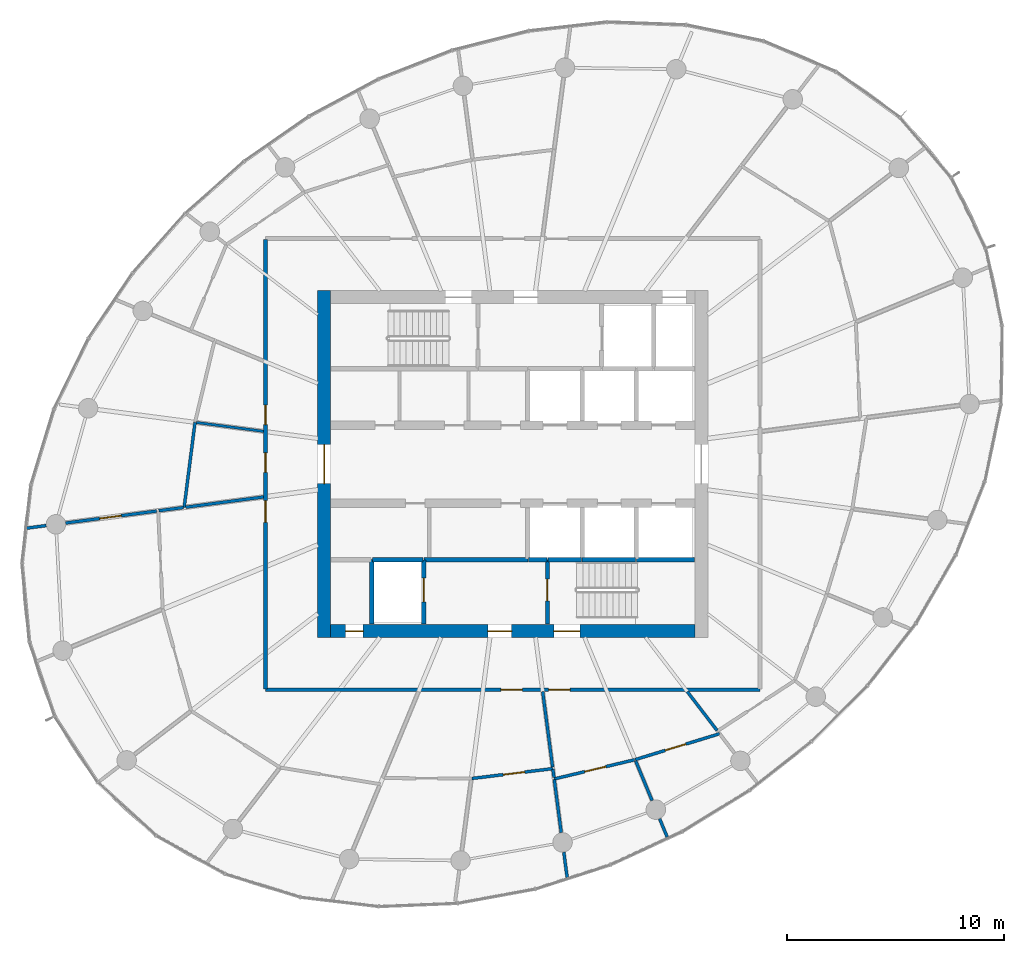
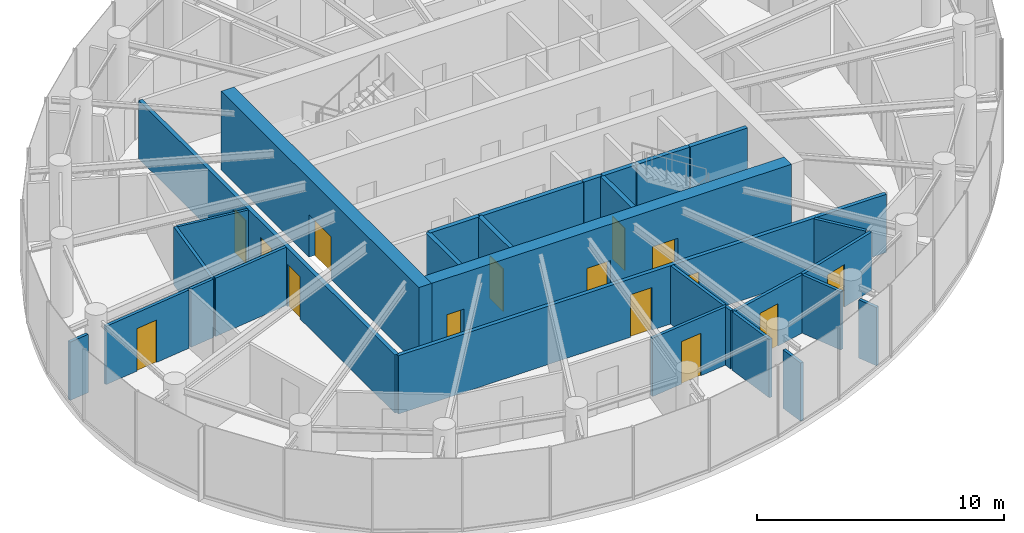
# One storey, part 10 of 15: 29 walls, 15 doors, 15 openings.
"""IFC4 building model written with IfcOpenShell, lengths in metres."""

from ifc_helpers import new_model, si_unit, direction, frame, frame_2d, origin, place, context, subcontext, project, spatial, rectangle, extrude, source, transform, mapped, material, layer, layer_set, type_object, element, fill, save


model = new_model("IFC4")

# Units and contexts
model_context = context("Model", 3, precision=1e-05, world=origin(), true_north=direction((0.0, 1.0)))
body_context = subcontext(model_context, "Body", "Model", "MODEL_VIEW")
ifc_project = project(units=[si_unit("LENGTHUNIT", "METRE"), si_unit("AREAUNIT", "SQUARE_METRE"), si_unit("VOLUMEUNIT", "CUBIC_METRE"), si_unit("PLANEANGLEUNIT", "RADIAN"), si_unit("MASSUNIT", "GRAM", prefix="KILO")], contexts=[model_context])

# Site, building, storey
site_placement = place(None, origin())
site = spatial("IfcSite", under=ifc_project, at=site_placement, CompositionType="ELEMENT")
building_placement = place(site_placement, origin())
building = spatial("IfcBuilding", under=site, at=building_placement, Name="Spindrift Exchange Tower", CompositionType="ELEMENT")
storey_placement = place(building_placement, frame((0.0, 0.0, 191.60009765625)))
storey = spatial("IfcBuildingStorey", under=building, at=storey_placement, Name="L46", CompositionType="ELEMENT", Elevation=191.60009765625)

# Wall, opening, door
ifc_material_1 = material(Name="Concrete 50 MPa", Category="concrete")
ifc_layer_1 = layer(ifc_material_1, 0.60009765625)
ifc_layer_set_1 = layer_set([ifc_layer_1], Name="RC Core Wall 600 Concrete 50 MPa")
wall_type_1 = type_object("IfcWallType", Name="RC Core Wall 600 Concrete 50 MPa", PredefinedType="SHEAR", material=ifc_layer_set_1)
wall_1_placement = place(storey_placement, frame((43.300048828125, 56.0, 0.0), z_axis=(0.0, 0.0, 1.0), x_axis=(0.0, -1.0, 0.0)))
wall_1 = element("IfcWall", 1, at=wall_1_placement, inside=storey, type_object=wall_type_1, Name="Core wall W L46", PredefinedType="SHEAR", context=body_context, shape_type="SweptSolid", body=[
    extrude(rectangle(XDim=16.0, YDim=0.60009765625, at=frame_2d((8.0, 0.0))), origin(), (0.0, 0.0, 1.0), 3.89990234375),
])
opening_1_placement = place(wall_1_placement, frame((7.10009765625, 0.0, 0.0)))
opening_1 = element("IfcOpeningElement", 2, at=opening_1_placement, cuts=wall_1, Name="Opening L46-D1", PredefinedType="OPENING", context=body_context, shape_type="SweptSolid", body=[
    extrude(rectangle(XDim=1.800048828125, YDim=2.10009765625, at=frame_2d((0.89990234375, 1.050048828125))), frame((0.0, 0.31005859375, 0.0), z_axis=(0.0, -1.0, 0.0), x_axis=(1.0, 0.0, 0.0)), (0.0, 0.0, 1.0), 0.6201171875),
])
ifc_material_2 = material(Name="Timber-core fire door", Category="wood")
door_type_1 = type_object("IfcDoorType", Name="DR-LOBBY-1800", OperationType="NOTDEFINED", PredefinedType="DOOR", material=ifc_material_2)
shared_shape_1 = source(origin(), body_context, "Body", "SweptSolid", [
    extrude(rectangle(XDim=1.800048828125, YDim=2.10009765625, at=frame_2d((0.89990234375, 1.050048828125))), frame((0.0, 0.02490234375, 0.0), z_axis=(0.0, -1.0, 0.0), x_axis=(1.0, 0.0, 0.0)), (0.0, 0.0, 1.0), 0.050048828125),
])
door_1_placement = place(opening_1_placement, origin())
door_1 = element("IfcDoor", 3, at=door_1_placement, inside=storey, type_object=door_type_1, Name="L46 Lobby door 1", OperationType="SINGLE_SWING_RIGHT", OverallHeight=2.10009765625, OverallWidth=1.800048828125, PredefinedType="DOOR", context=body_context, shape_type="MappedRepresentation", body=[
    mapped(shared_shape_1, transform((0.0, 0.0, 0.0), scale=1.0)),
])
fill(opening_1, door_1)

# Wall, openings, doors
wall_2_placement = place(storey_placement, frame((43.60009765625, 40.300048828125, 0.0), z_axis=(0.0, 0.0, 1.0), x_axis=(1.0, 0.0, 0.0)))
wall_2 = element("IfcWall", 4, at=wall_2_placement, inside=storey, type_object=wall_type_1, Name="Core wall S L46", PredefinedType="SHEAR", context=body_context, shape_type="SweptSolid", body=[
    extrude(rectangle(XDim=16.7998046875, YDim=0.60009765625, at=frame_2d((8.39990234375, 0.0))), origin(), (0.0, 0.0, 1.0), 3.89990234375),
])
opening_2_placement = place(wall_2_placement, frame((10.300048828125, 0.0, 0.0)))
opening_2 = element("IfcOpeningElement", 5, at=opening_2_placement, cuts=wall_2, Name="Opening L46-D15", PredefinedType="OPENING", context=body_context, shape_type="SweptSolid", body=[
    extrude(rectangle(XDim=1.199951171875, YDim=2.10009765625, at=frame_2d((0.60009765625, 1.050048828125))), frame((0.0, 0.31005859375, 0.0), z_axis=(0.0, -1.0, 0.0), x_axis=(1.0, 0.0, 0.0)), (0.0, 0.0, 1.0), 0.6201171875),
])
opening_3_placement = place(wall_2_placement, frame((7.25, 0.0, 0.0)))
opening_3 = element("IfcOpeningElement", 6, at=opening_3_placement, cuts=wall_2, Name="Opening L46-D17", PredefinedType="OPENING", context=body_context, shape_type="SweptSolid", body=[
    extrude(rectangle(XDim=1.10009765625, YDim=2.10009765625, at=frame_2d((0.550048828125, 1.050048828125))), frame((0.0, 0.31005859375, 0.0), z_axis=(0.0, -1.0, 0.0), x_axis=(1.0, 0.0, 0.0)), (0.0, 0.0, 1.0), 0.6201171875),
])
opening_4_placement = place(wall_2_placement, frame((0.699951171875, 0.0, 0.0)))
opening_4 = element("IfcOpeningElement", 7, at=opening_4_placement, cuts=wall_2, Name="Opening L46-D18", PredefinedType="OPENING", context=body_context, shape_type="SweptSolid", body=[
    extrude(rectangle(XDim=0.800048828125, YDim=2.10009765625, at=frame_2d((0.39990234375, 1.050048828125))), frame((0.0, 0.31005859375, 0.0), z_axis=(0.0, -1.0, 0.0), x_axis=(1.0, 0.0, 0.0)), (0.0, 0.0, 1.0), 0.6201171875),
])
ifc_material_3 = material(Name="Steel fire door", Category="steel")
door_type_2 = type_object("IfcDoorType", Name="DR-STAIR-1200", OperationType="NOTDEFINED", PredefinedType="DOOR", material=ifc_material_3)
shared_shape_2 = source(origin(), body_context, "Body", "SweptSolid", [
    extrude(rectangle(XDim=1.199951171875, YDim=2.10009765625, at=frame_2d((0.60009765625, 1.050048828125))), frame((0.0, 0.02490234375, 0.0), z_axis=(0.0, -1.0, 0.0), x_axis=(1.0, 0.0, 0.0)), (0.0, 0.0, 1.0), 0.050048828125),
])
door_2_placement = place(opening_2_placement, origin())
door_2 = element("IfcDoor", 8, at=door_2_placement, inside=storey, type_object=door_type_2, Name="L46 Stair door 15", OperationType="SINGLE_SWING_LEFT", OverallHeight=2.10009765625, OverallWidth=1.199951171875, PredefinedType="DOOR", context=body_context, shape_type="MappedRepresentation", body=[
    mapped(shared_shape_2, transform((0.0, 0.0, 0.0), scale=1.0)),
])
fill(opening_2, door_2)
door_type_3 = type_object("IfcDoorType", Name="DR-LOBBY-1100", OperationType="NOTDEFINED", PredefinedType="DOOR", material=ifc_material_2)
shared_shape_3 = source(origin(), body_context, "Body", "SweptSolid", [
    extrude(rectangle(XDim=1.10009765625, YDim=2.10009765625, at=frame_2d((0.550048828125, 1.050048828125))), frame((0.0, 0.02490234375, 0.0), z_axis=(0.0, -1.0, 0.0), x_axis=(1.0, 0.0, 0.0)), (0.0, 0.0, 1.0), 0.050048828125),
])
door_3_placement = place(opening_3_placement, origin())
door_3 = element("IfcDoor", 9, at=door_3_placement, inside=storey, type_object=door_type_3, Name="L46 Lobby door 17", OperationType="SINGLE_SWING_LEFT", OverallHeight=2.10009765625, OverallWidth=1.10009765625, PredefinedType="DOOR", context=body_context, shape_type="MappedRepresentation", body=[
    mapped(shared_shape_3, transform((0.0, 0.0, 0.0), scale=1.0)),
])
fill(opening_3, door_3)
ifc_material_4 = material(Name="Steel access door", Category="steel")
door_type_4 = type_object("IfcDoorType", Name="DR-RISER-800", OperationType="NOTDEFINED", PredefinedType="DOOR", material=ifc_material_4)
shared_shape_4 = source(origin(), body_context, "Body", "SweptSolid", [
    extrude(rectangle(XDim=0.800048828125, YDim=2.10009765625, at=frame_2d((0.39990234375, 1.050048828125))), frame((0.0, 0.02490234375, 0.0), z_axis=(0.0, -1.0, 0.0), x_axis=(1.0, 0.0, 0.0)), (0.0, 0.0, 1.0), 0.050048828125),
])
door_4_placement = place(opening_4_placement, origin())
door_4 = element("IfcDoor", 10, at=door_4_placement, inside=storey, type_object=door_type_4, Name="L46 Riser door 18", OperationType="SINGLE_SWING_RIGHT", OverallHeight=2.10009765625, OverallWidth=0.800048828125, PredefinedType="DOOR", context=body_context, shape_type="MappedRepresentation", body=[
    mapped(shared_shape_4, transform((0.0, 0.0, 0.0), scale=1.0)),
])
fill(opening_4, door_4)

ifc_material_5 = material(Name="Fire-rated plasterboard partition", Category="gypsum")
ifc_layer_2 = layer(ifc_material_5, 0.179931640625)
ifc_layer_set_2 = layer_set([ifc_layer_2], Name="W-CORR-180")
wall_type_2 = type_object("IfcWallType", Name="W-CORR-180", PredefinedType="PARTITIONING", material=ifc_layer_set_2)
wall_3_placement = place(storey_placement, frame((63.39990234375, 37.60009765625, 0.0), z_axis=(0.0, 0.0, 1.0), x_axis=(-1.0, 0.0, 0.0)))
wall_3 = element("IfcWall", 11, at=wall_3_placement, inside=storey, type_object=wall_type_2, Name="L46 Partition wall 28", PredefinedType="PARTITIONING", context=body_context, shape_type="SweptSolid", body=[
    extrude(rectangle(XDim=22.7998046875, YDim=0.179931640625, at=frame_2d((11.39990234375, 0.0))), origin(), (0.0, 0.0, 1.0), 2.8798828125),
])
opening_5_placement = place(wall_3_placement, frame((10.949951171875, 0.0, 0.0)))
opening_5 = element("IfcOpeningElement", 12, at=opening_5_placement, cuts=wall_3, Name="Opening L46-D27", PredefinedType="OPENING", context=body_context, shape_type="SweptSolid", body=[
    extrude(rectangle(XDim=1.0, YDim=2.10009765625, at=frame_2d((0.5, 1.050048828125))), frame((0.0, 0.099853515625, 0.0), z_axis=(0.0, -1.0, 0.0), x_axis=(1.0, 0.0, 0.0)), (0.0, 0.0, 1.0), 0.199951171875),
])
opening_6_placement = place(wall_3_placement, frame((8.75, 0.0, 0.0)))
opening_6 = element("IfcOpeningElement", 13, at=opening_6_placement, cuts=wall_3, Name="Opening L46-D30", PredefinedType="OPENING", context=body_context, shape_type="SweptSolid", body=[
    extrude(rectangle(XDim=1.0, YDim=2.10009765625, at=frame_2d((0.5, 1.050048828125))), frame((0.0, 0.099853515625, 0.0), z_axis=(0.0, -1.0, 0.0), x_axis=(1.0, 0.0, 0.0)), (0.0, 0.0, 1.0), 0.199951171875),
])
door_type_5 = type_object("IfcDoorType", Name="DR-ROOM-1000", OperationType="NOTDEFINED", PredefinedType="DOOR", material=ifc_material_2)
shared_shape_5 = source(origin(), body_context, "Body", "SweptSolid", [
    extrude(rectangle(XDim=1.0, YDim=2.10009765625, at=frame_2d((0.5, 1.050048828125))), frame((0.0, 0.02490234375, 0.0), z_axis=(0.0, -1.0, 0.0), x_axis=(1.0, 0.0, 0.0)), (0.0, 0.0, 1.0), 0.050048828125),
])
door_5_placement = place(opening_5_placement, origin())
door_5 = element("IfcDoor", 14, at=door_5_placement, inside=storey, type_object=door_type_5, Name="L46 Door 27", OperationType="SINGLE_SWING_LEFT", OverallHeight=2.10009765625, OverallWidth=1.0, PredefinedType="DOOR", context=body_context, shape_type="MappedRepresentation", body=[
    mapped(shared_shape_5, transform((0.0, 0.0, 0.0), scale=1.0)),
])
fill(opening_5, door_5)
door_6_placement = place(opening_6_placement, origin())
door_6 = element("IfcDoor", 15, at=door_6_placement, inside=storey, type_object=door_type_5, Name="L46 Door 30", OperationType="SINGLE_SWING_RIGHT", OverallHeight=2.10009765625, OverallWidth=1.0, PredefinedType="DOOR", context=body_context, shape_type="MappedRepresentation", body=[
    mapped(shared_shape_5, transform((0.0, 0.0, 0.0), scale=1.0)),
])
fill(opening_6, door_6)

wall_4_placement = place(storey_placement, frame((40.60009765625, 37.6298828125, 0.0), z_axis=(0.0, 0.0, 1.0), x_axis=(0.0, 1.0, 0.0)))
wall_4 = element("IfcWall", 16, at=wall_4_placement, inside=storey, type_object=wall_type_2, Name="L46 Partition wall 30", PredefinedType="PARTITIONING", context=body_context, shape_type="SweptSolid", body=[
    extrude(rectangle(XDim=20.740234375, YDim=0.179931640625, at=frame_2d((10.3701171875, 0.0))), origin(), (0.0, 0.0, 1.0), 2.8798828125),
])
opening_7_placement = place(wall_4_placement, frame((12.18994140625, 0.0, 0.0)))
opening_7 = element("IfcOpeningElement", 17, at=opening_7_placement, cuts=wall_4, Name="Opening L46-D19", PredefinedType="OPENING", context=body_context, shape_type="SweptSolid", body=[
    extrude(rectangle(XDim=0.89990234375, YDim=2.10009765625, at=frame_2d((0.449951171875, 1.050048828125))), frame((0.0, 0.099853515625, 0.0), z_axis=(0.0, -1.0, 0.0), x_axis=(1.0, 0.0, 0.0)), (0.0, 0.0, 1.0), 0.199951171875),
])
opening_8_placement = place(wall_4_placement, frame((9.989990234375, 0.0, 0.0)))
opening_8 = element("IfcOpeningElement", 18, at=opening_8_placement, cuts=wall_4, Name="Opening L46-D20", PredefinedType="OPENING", context=body_context, shape_type="SweptSolid", body=[
    extrude(rectangle(XDim=0.89990234375, YDim=2.10009765625, at=frame_2d((0.449951171875, 1.050048828125))), frame((0.0, 0.099853515625, 0.0), z_axis=(0.0, -1.0, 0.0), x_axis=(1.0, 0.0, 0.0)), (0.0, 0.0, 1.0), 0.199951171875),
])
opening_9_placement = place(wall_4_placement, frame((7.68994140625, 0.0, 0.0)))
opening_9 = element("IfcOpeningElement", 19, at=opening_9_placement, cuts=wall_4, Name="Opening L46-D21", PredefinedType="OPENING", context=body_context, shape_type="SweptSolid", body=[
    extrude(rectangle(XDim=1.0, YDim=2.10009765625, at=frame_2d((0.5, 1.050048828125))), frame((0.0, 0.099853515625, 0.0), z_axis=(0.0, -1.0, 0.0), x_axis=(1.0, 0.0, 0.0)), (0.0, 0.0, 1.0), 0.199951171875),
])
door_7_placement = place(opening_9_placement, origin())
door_7 = element("IfcDoor", 20, at=door_7_placement, inside=storey, type_object=door_type_5, Name="L46 Door 21", OperationType="SINGLE_SWING_LEFT", OverallHeight=2.10009765625, OverallWidth=1.0, PredefinedType="DOOR", context=body_context, shape_type="MappedRepresentation", body=[
    mapped(shared_shape_5, transform((0.0, 0.0, 0.0), scale=1.0)),
])
fill(opening_9, door_7)
ifc_material_6 = material(Name="Laminate washroom door", Category="wood")
door_type_6 = type_object("IfcDoorType", Name="DR-WC-900", OperationType="NOTDEFINED", PredefinedType="DOOR", material=ifc_material_6)
shared_shape_6 = source(origin(), body_context, "Body", "SweptSolid", [
    extrude(rectangle(XDim=0.89990234375, YDim=2.10009765625, at=frame_2d((0.449951171875, 1.050048828125))), frame((0.0, 0.02490234375, 0.0), z_axis=(0.0, -1.0, 0.0), x_axis=(1.0, 0.0, 0.0)), (0.0, 0.0, 1.0), 0.050048828125),
])
door_8_placement = place(opening_7_placement, origin())
door_8 = element("IfcDoor", 21, at=door_8_placement, inside=storey, type_object=door_type_6, Name="L46 WC door 19", OperationType="SINGLE_SWING_LEFT", OverallHeight=2.10009765625, OverallWidth=0.89990234375, PredefinedType="DOOR", context=body_context, shape_type="MappedRepresentation", body=[
    mapped(shared_shape_6, transform((0.0, 0.0, 0.0), scale=1.0)),
])
fill(opening_7, door_8)
door_9_placement = place(opening_8_placement, origin())
door_9 = element("IfcDoor", 22, at=door_9_placement, inside=storey, type_object=door_type_6, Name="L46 WC door 20", OperationType="SINGLE_SWING_RIGHT", OverallHeight=2.10009765625, OverallWidth=0.89990234375, PredefinedType="DOOR", context=body_context, shape_type="MappedRepresentation", body=[
    mapped(shared_shape_6, transform((0.0, 0.0, 0.0), scale=1.0)),
])
fill(opening_8, door_9)

# Wall, opening, door
ifc_layer_3 = layer(ifc_material_5, 0.139892578125)
ifc_layer_set_3 = layer_set([ifc_layer_3], Name="W-PART-140")
wall_type_3 = type_object("IfcWallType", Name="W-PART-140", PredefinedType="PARTITIONING", material=ifc_layer_set_3)
wall_5_placement = place(storey_placement, frame((31.38818359375, 45.286376953125, 0.0), z_axis=(0.0, 0.0, 1.0), x_axis=(0.991448794139, 0.130496316425, 0.0)))
wall_5 = element("IfcWall", 23, at=wall_5_placement, inside=storey, type_object=wall_type_3, Name="L46 Partition wall 45", PredefinedType="PARTITIONING", context=body_context, shape_type="SweptSolid", body=[
    extrude(rectangle(XDim=4.22998046875, YDim=0.139892578125, at=frame_2d((2.114990234375, 0.0))), origin(), (0.0, 0.0, 1.0), 2.8798828125),
])
opening_10_placement = place(wall_5_placement, frame((1.579833984375, 0.0, 0.0)))
opening_10 = element("IfcOpeningElement", 24, at=opening_10_placement, cuts=wall_5, Name="Opening L46-D26", PredefinedType="OPENING", context=body_context, shape_type="SweptSolid", body=[
    extrude(rectangle(XDim=1.0, YDim=2.10009765625, at=frame_2d((0.5, 1.050048828125))), frame((0.0, 0.079833984375, 0.0), z_axis=(0.0, -1.0, 0.0), x_axis=(1.0, 0.0, 0.0)), (0.0, 0.0, 1.0), 0.159912109375),
])
door_10_placement = place(opening_10_placement, origin())
door_10 = element("IfcDoor", 25, at=door_10_placement, inside=storey, type_object=door_type_5, Name="L46 Door 26", OperationType="SINGLE_SWING_RIGHT", OverallHeight=2.10009765625, OverallWidth=1.0, PredefinedType="DOOR", context=body_context, shape_type="MappedRepresentation", body=[
    mapped(shared_shape_5, transform((0.0, 0.0, 0.0), scale=1.0)),
])
fill(opening_10, door_10)

wall_6_placement = place(storey_placement, frame((61.537841796875, 35.56982421875, 0.0), z_axis=(0.0, 0.0, 1.0), x_axis=(-0.956031356948, -0.293264461761, 0.0)))
wall_6 = element("IfcWall", 26, at=wall_6_placement, inside=storey, type_object=wall_type_3, Name="L46 Partition wall 54", PredefinedType="PARTITIONING", context=body_context, shape_type="SweptSolid", body=[
    extrude(rectangle(XDim=4.073486328125, YDim=0.139892578125, at=frame_2d((2.03662109375, 0.0))), origin(), (0.0, 0.0, 1.0), 2.8798828125),
])
opening_11_placement = place(wall_6_placement, frame((1.62353515625, 0.0, 0.0)))
opening_11 = element("IfcOpeningElement", 27, at=opening_11_placement, cuts=wall_6, Name="Opening L46-D32", PredefinedType="OPENING", context=body_context, shape_type="SweptSolid", body=[
    extrude(rectangle(XDim=1.0, YDim=2.10009765625, at=frame_2d((0.5, 1.050048828125))), frame((0.0, 0.079833984375, 0.0), z_axis=(0.0, -1.0, 0.0), x_axis=(1.0, 0.0, 0.0)), (0.0, 0.0, 1.0), 0.159912109375),
])
door_11_placement = place(opening_11_placement, origin())
door_11 = element("IfcDoor", 28, at=door_11_placement, inside=storey, type_object=door_type_5, Name="L46 Door 32", OperationType="SINGLE_SWING_RIGHT", OverallHeight=2.10009765625, OverallWidth=1.0, PredefinedType="DOOR", context=body_context, shape_type="MappedRepresentation", body=[
    mapped(shared_shape_5, transform((0.0, 0.0, 0.0), scale=1.0)),
])
fill(opening_11, door_11)

# Wall
wall_7_placement = place(storey_placement, frame((37.351318359375, 49.928466796875, 0.0), z_axis=(0.0, 0.0, 1.0), x_axis=(-0.126739156805, -0.991936079661, 0.0)))
element("IfcWall", 29, at=wall_7_placement, inside=storey, type_object=wall_type_3, Name="L46 Partition wall 55", PredefinedType="PARTITIONING", context=body_context, shape_type="SweptSolid", body=[
    extrude(rectangle(XDim=3.954833984375, YDim=0.139892578125, at=frame_2d((1.9775390625, 0.0))), origin(), (0.0, 0.0, 1.0), 2.8798828125),
])

# Wall, opening, door
wall_8_placement = place(storey_placement, frame((57.614501953125, 34.3681640625, 0.0), z_axis=(0.0, 0.0, 1.0), x_axis=(-0.972718080969, -0.231990376859, 0.0)))
wall_8 = element("IfcWall", 30, at=wall_8_placement, inside=storey, type_object=wall_type_3, Name="L46 Partition wall 57", PredefinedType="PARTITIONING", context=body_context, shape_type="SweptSolid", body=[
    extrude(rectangle(XDim=3.807373046875, YDim=0.139892578125, at=frame_2d((1.90380859375, 0.0))), origin(), (0.0, 0.0, 1.0), 2.8798828125),
])
opening_12_placement = place(wall_8_placement, frame((1.357421875, 0.0, 0.0)))
opening_12 = element("IfcOpeningElement", 31, at=opening_12_placement, cuts=wall_8, Name="Opening L46-D31", PredefinedType="OPENING", context=body_context, shape_type="SweptSolid", body=[
    extrude(rectangle(XDim=1.0, YDim=2.10009765625, at=frame_2d((0.5, 1.050048828125))), frame((0.0, 0.079833984375, 0.0), z_axis=(0.0, -1.0, 0.0), x_axis=(1.0, 0.0, 0.0)), (0.0, 0.0, 1.0), 0.159912109375),
])
door_12_placement = place(opening_12_placement, origin())
door_12 = element("IfcDoor", 32, at=door_12_placement, inside=storey, type_object=door_type_5, Name="L46 Door 31", OperationType="SINGLE_SWING_LEFT", OverallHeight=2.10009765625, OverallWidth=1.0, PredefinedType="DOOR", context=body_context, shape_type="MappedRepresentation", body=[
    mapped(shared_shape_5, transform((0.0, 0.0, 0.0), scale=1.0)),
])
fill(opening_12, door_12)

wall_9_placement = place(storey_placement, frame((53.84814453125, 33.961181640625, 0.0), z_axis=(0.0, 0.0, 1.0), x_axis=(-0.992659211772, -0.120944984534, 0.0)))
wall_9 = element("IfcWall", 33, at=wall_9_placement, inside=storey, type_object=wall_type_3, Name="L46 Partition wall 59", PredefinedType="PARTITIONING", context=body_context, shape_type="SweptSolid", body=[
    extrude(rectangle(XDim=3.754638671875, YDim=0.139892578125, at=frame_2d((1.87744140625, 0.0))), origin(), (0.0, 0.0, 1.0), 2.8798828125),
])
opening_13_placement = place(wall_9_placement, frame((1.3046875, 0.0, 0.0)))
opening_13 = element("IfcOpeningElement", 34, at=opening_13_placement, cuts=wall_9, Name="Opening L46-D29", PredefinedType="OPENING", context=body_context, shape_type="SweptSolid", body=[
    extrude(rectangle(XDim=1.0, YDim=2.10009765625, at=frame_2d((0.5, 1.050048828125))), frame((0.0, 0.079833984375, 0.0), z_axis=(0.0, -1.0, 0.0), x_axis=(1.0, 0.0, 0.0)), (0.0, 0.0, 1.0), 0.159912109375),
])
door_13_placement = place(opening_13_placement, origin())
door_13 = element("IfcDoor", 35, at=door_13_placement, inside=storey, type_object=door_type_5, Name="L46 Door 29", OperationType="SINGLE_SWING_LEFT", OverallHeight=2.10009765625, OverallWidth=1.0, PredefinedType="DOOR", context=body_context, shape_type="MappedRepresentation", body=[
    mapped(shared_shape_5, transform((0.0, 0.0, 0.0), scale=1.0)),
])
fill(opening_13, door_13)

# Walls
wall_10_placement = place(storey_placement, frame((40.510009765625, 46.4873046875, 0.0), z_axis=(0.0, 0.0, 1.0), x_axis=(-0.991445109366, -0.13052430852, 0.0)))
element("IfcWall", 36, at=wall_10_placement, inside=storey, type_object=wall_type_3, Name="L46 Partition wall 60", PredefinedType="PARTITIONING", context=body_context, shape_type="SweptSolid", body=[
    extrude(rectangle(XDim=3.619384765625, YDim=0.139892578125, at=frame_2d((1.8095703125, 0.0))), origin(), (0.0, 0.0, 1.0), 2.8798828125),
])
wall_11_placement = place(storey_placement, frame((53.381103515625, 37.510009765625, 0.0), z_axis=(0.0, 0.0, 1.0), x_axis=(0.130504898859, -0.991447664465, 0.0)))
element("IfcWall", 37, at=wall_11_placement, inside=storey, type_object=wall_type_3, Name="L46 Partition wall 62", PredefinedType="PARTITIONING", context=body_context, shape_type="SweptSolid", body=[
    extrude(rectangle(XDim=3.509521484375, YDim=0.139892578125, at=frame_2d((1.7548828125, 0.0))), origin(), (0.0, 0.0, 1.0), 2.8798828125),
])
wall_12_placement = place(storey_placement, frame((53.914794921875, 33.455078125, 0.0), z_axis=(0.0, 0.0, 1.0), x_axis=(0.130569656045, -0.991439138284, 0.0)))
element("IfcWall", 38, at=wall_12_placement, inside=storey, type_object=wall_type_3, Name="L46 Partition wall 74", PredefinedType="PARTITIONING", context=body_context, shape_type="SweptSolid", body=[
    extrude(rectangle(XDim=2.46826171875, YDim=0.139892578125, at=frame_2d((1.234130859375, 0.0))), origin(), (0.0, 0.0, 1.0), 2.8798828125),
])
wall_13_placement = place(storey_placement, frame((60.04931640625, 37.510009765625, 0.0), z_axis=(0.0, 0.0, 1.0), x_axis=(0.608738046736, -0.793371281593, 0.0)))
element("IfcWall", 39, at=wall_13_placement, inside=storey, type_object=wall_type_3, Name="L46 Partition wall 75", PredefinedType="PARTITIONING", context=body_context, shape_type="SweptSolid", body=[
    extrude(rectangle(XDim=2.257080078125, YDim=0.139892578125, at=frame_2d((1.12841796875, 0.0))), origin(), (0.0, 0.0, 1.0), 2.8798828125),
])
wall_14_placement = place(storey_placement, frame((57.67041015625, 34.310302734375, 0.0), z_axis=(0.0, 0.0, 1.0), x_axis=(0.382679925467, -0.923880985108, 0.0)))
element("IfcWall", 40, at=wall_14_placement, inside=storey, type_object=wall_type_3, Name="L46 Partition wall 80", PredefinedType="PARTITIONING", context=body_context, shape_type="SweptSolid", body=[
    extrude(rectangle(XDim=1.971435546875, YDim=0.139892578125, at=frame_2d((0.98583984375, 0.0))), origin(), (0.0, 0.0, 1.0), 2.8798828125),
])
wall_15_placement = place(storey_placement, frame((36.8203125, 46.00146484375, 0.0), z_axis=(0.0, 0.0, 1.0), x_axis=(-0.991449231129, -0.130492996337, 0.0)))
element("IfcWall", 41, at=wall_15_placement, inside=storey, type_object=wall_type_3, Name="L46 Partition wall 88", PredefinedType="PARTITIONING", context=body_context, shape_type="SweptSolid", body=[
    extrude(rectangle(XDim=1.148681640625, YDim=0.139892578125, at=frame_2d((0.57421875, 0.0))), origin(), (0.0, 0.0, 1.0), 2.8798828125),
])
wall_16_placement = place(storey_placement, frame((54.355712890625, 30.10693359375, 0.0), z_axis=(0.0, 0.0, 1.0), x_axis=(0.130470558533, -0.9914521841, 0.0)))
element("IfcWall", 42, at=wall_16_placement, inside=storey, type_object=wall_type_3, Name="L46 Partition wall 90", PredefinedType="PARTITIONING", context=body_context, shape_type="SweptSolid", body=[
    extrude(rectangle(XDim=1.1806640625, YDim=0.139892578125, at=frame_2d((0.59033203125, 0.0))), origin(), (0.0, 0.0, 1.0), 2.8798828125),
])
wall_17_placement = place(storey_placement, frame((30.487060546875, 45.167724609375, 0.0), z_axis=(0.0, 0.0, 1.0), x_axis=(-0.991462412187, -0.130392811226, 0.0)))
element("IfcWall", 43, at=wall_17_placement, inside=storey, type_object=wall_type_3, Name="L46 Partition wall 98", PredefinedType="PARTITIONING", context=body_context, shape_type="SweptSolid", body=[
    extrude(rectangle(XDim=0.921142578125, YDim=0.139892578125, at=frame_2d((0.46044921875, 0.0))), origin(), (0.0, 0.0, 1.0), 2.8798828125),
])
wall_18_placement = place(storey_placement, frame((58.773193359375, 31.648193359375, 0.0), z_axis=(0.0, 0.0, 1.0), x_axis=(0.382645109605, -0.923895405387, 0.0)))
element("IfcWall", 44, at=wall_18_placement, inside=storey, type_object=wall_type_3, Name="L46 Partition wall 99", PredefinedType="PARTITIONING", context=body_context, shape_type="SweptSolid", body=[
    extrude(rectangle(XDim=0.90673828125, YDim=0.139892578125, at=frame_2d((0.453369140625, 0.0))), origin(), (0.0, 0.0, 1.0), 2.8798828125),
])
wall_19_placement = place(storey_placement, frame((53.852294921875, 33.931396484375, 0.0), z_axis=(0.0, 0.0, 1.0), x_axis=(0.130437891079, -0.991456482439, 0.0)))
element("IfcWall", 45, at=wall_19_placement, inside=storey, type_object=wall_type_3, Name="L46 Partition wall 112", PredefinedType="PARTITIONING", context=body_context, shape_type="SweptSolid", body=[
    extrude(rectangle(XDim=0.3798828125, YDim=0.139892578125, at=frame_2d((0.18994140625, 0.0))), origin(), (0.0, 0.0, 1.0), 2.8798828125),
])
ifc_material_7 = material(Name="Concrete 40 MPa", Category="concrete")
ifc_layer_4 = layer(ifc_material_7, 0.199951171875)
ifc_layer_set_4 = layer_set([ifc_layer_4], Name="W-SHAFT-200")
wall_type_4 = type_object("IfcWallType", Name="W-SHAFT-200", PredefinedType="SOLIDWALL", material=ifc_layer_set_4)
wall_20_placement = place(storey_placement, frame((52.699951171875, 43.60009765625, 0.0), z_axis=(0.0, 0.0, 1.0), x_axis=(-1.0, 0.0, 0.0)))
element("IfcWall", 46, at=wall_20_placement, inside=storey, type_object=wall_type_4, Name="L46 Shaft wall 2", PredefinedType="SOLIDWALL", context=body_context, shape_type="SweptSolid", body=[
    extrude(rectangle(XDim=4.800048828125, YDim=0.199951171875, at=frame_2d((2.39990234375, 0.0))), origin(), (0.0, 0.0, 1.0), 3.579833984375),
])
wall_21_placement = place(storey_placement, frame((45.5, 43.60009765625, 0.0), z_axis=(0.0, 0.0, 1.0), x_axis=(0.0, -1.0, 0.0)))
element("IfcWall", 47, at=wall_21_placement, inside=storey, type_object=wall_type_4, Name="L46 Shaft wall 3", PredefinedType="SOLIDWALL", context=body_context, shape_type="SweptSolid", body=[
    extrude(rectangle(XDim=2.97998046875, YDim=0.199951171875, at=frame_2d((1.489990234375, 0.0))), origin(), (0.0, 0.0, 1.0), 3.579833984375),
])

# Wall, opening, door
wall_22_placement = place(storey_placement, frame((47.89990234375, 40.6201171875, 0.0), z_axis=(0.0, 0.0, 1.0), x_axis=(0.0, 1.0, 0.0)))
wall_22 = element("IfcWall", 48, at=wall_22_placement, inside=storey, type_object=wall_type_4, Name="L46 Shaft wall 4", PredefinedType="SOLIDWALL", context=body_context, shape_type="SweptSolid", body=[
    extrude(rectangle(XDim=2.949951171875, YDim=0.199951171875, at=frame_2d((1.47509765625, 0.0))), origin(), (0.0, 0.0, 1.0), 3.579833984375),
])
opening_14_placement = place(wall_22_placement, frame((1.030029296875, 0.0, 0.0)))
opening_14 = element("IfcOpeningElement", 49, at=opening_14_placement, cuts=wall_22, Name="Opening L46-D10", PredefinedType="OPENING", context=body_context, shape_type="SweptSolid", body=[
    extrude(rectangle(XDim=1.10009765625, YDim=2.10009765625, at=frame_2d((0.550048828125, 1.050048828125))), frame((0.0, 0.10986328125, 0.0), z_axis=(0.0, -1.0, 0.0), x_axis=(1.0, 0.0, 0.0)), (0.0, 0.0, 1.0), 0.219970703125),
])
ifc_material_8 = material(Name="Stainless steel landing door", Category="steel")
door_type_7 = type_object("IfcDoorType", Name="DR-LANDING-1100-SL", OperationType="DOUBLE_DOOR_SLIDING", PredefinedType="USERDEFINED", material=ifc_material_8)
shared_shape_7 = source(origin(), body_context, "Body", "SweptSolid", [
    extrude(rectangle(XDim=1.10009765625, YDim=2.10009765625, at=frame_2d((0.550048828125, 1.050048828125))), frame((0.0, 0.02490234375, 0.0), z_axis=(0.0, -1.0, 0.0), x_axis=(1.0, 0.0, 0.0)), (0.0, 0.0, 1.0), 0.050048828125),
])
door_14_placement = place(opening_14_placement, origin())
door_14 = element("IfcDoor", 50, at=door_14_placement, inside=storey, type_object=door_type_7, Name="L46 Lift landing door 10", ObjectType="LANDING DOOR", OperationType="DOUBLE_DOOR_SLIDING", OverallHeight=2.10009765625, OverallWidth=1.10009765625, PredefinedType="USERDEFINED", context=body_context, shape_type="MappedRepresentation", body=[
    mapped(shared_shape_7, transform((0.0, 0.0, 0.0), scale=1.0)),
])
fill(opening_14, door_14)

# Wall
wall_23_placement = place(storey_placement, frame((47.8701171875, 43.60009765625, 0.0), z_axis=(0.0, 0.0, 1.0), x_axis=(-1.0, 0.0, 0.0)))
element("IfcWall", 51, at=wall_23_placement, inside=storey, type_object=wall_type_4, Name="L46 Shaft wall 12", PredefinedType="SOLIDWALL", context=body_context, shape_type="SweptSolid", body=[
    extrude(rectangle(XDim=2.340087890625, YDim=0.199951171875, at=frame_2d((1.169921875, 0.0))), origin(), (0.0, 0.0, 1.0), 3.579833984375),
])

# Wall, opening, door
ifc_layer_5 = layer(ifc_material_7, 0.199951171875)
ifc_layer_set_5 = layer_set([ifc_layer_5], Name="W-SHAFT-200-LB")
wall_type_5 = type_object("IfcWallType", Name="W-SHAFT-200-LB", PredefinedType="SOLIDWALL", material=ifc_layer_set_5)
wall_24_placement = place(storey_placement, frame((53.60009765625, 43.60009765625, 0.0), z_axis=(0.0, 0.0, 1.0), x_axis=(0.0, -1.0, 0.0)))
wall_24 = element("IfcWall", 52, at=wall_24_placement, inside=storey, type_object=wall_type_5, Name="L46 Shaft wall 6", PredefinedType="SOLIDWALL", context=body_context, shape_type="SweptSolid", body=[
    extrude(rectangle(XDim=2.97998046875, YDim=0.199951171875, at=frame_2d((1.489990234375, 0.0))), origin(), (0.0, 0.0, 1.0), 3.579833984375),
])
opening_15_placement = place(wall_24_placement, frame((0.89990234375, 0.0, 0.0)))
opening_15 = element("IfcOpeningElement", 53, at=opening_15_placement, cuts=wall_24, Name="Opening L46-D16", PredefinedType="OPENING", context=body_context, shape_type="SweptSolid", body=[
    extrude(rectangle(XDim=1.0, YDim=2.10009765625, at=frame_2d((0.5, 1.050048828125))), frame((0.0, 0.10986328125, 0.0), z_axis=(0.0, -1.0, 0.0), x_axis=(1.0, 0.0, 0.0)), (0.0, 0.0, 1.0), 0.219970703125),
])
door_type_8 = type_object("IfcDoorType", Name="DR-STAIR-1000", OperationType="NOTDEFINED", PredefinedType="DOOR", material=ifc_material_3)
shared_shape_8 = source(origin(), body_context, "Body", "SweptSolid", [
    extrude(rectangle(XDim=1.0, YDim=2.10009765625, at=frame_2d((0.5, 1.050048828125))), frame((0.0, 0.02490234375, 0.0), z_axis=(0.0, -1.0, 0.0), x_axis=(1.0, 0.0, 0.0)), (0.0, 0.0, 1.0), 0.050048828125),
])
door_15_placement = place(opening_15_placement, origin())
door_15 = element("IfcDoor", 54, at=door_15_placement, inside=storey, type_object=door_type_8, Name="L46 Stair door 16", OperationType="SINGLE_SWING_RIGHT", OverallHeight=2.10009765625, OverallWidth=1.0, PredefinedType="DOOR", context=body_context, shape_type="MappedRepresentation", body=[
    mapped(shared_shape_8, transform((0.0, 0.0, 0.0), scale=1.0)),
])
fill(opening_15, door_15)

# Walls
wall_25_placement = place(storey_placement, frame((57.699951171875, 43.60009765625, 0.0), z_axis=(0.0, 0.0, 1.0), x_axis=(1.0, 0.0, 0.0)))
element("IfcWall", 55, at=wall_25_placement, inside=storey, type_object=wall_type_5, Name="L46 Shaft wall 9", PredefinedType="SOLIDWALL", context=body_context, shape_type="SweptSolid", body=[
    extrude(rectangle(XDim=2.679931640625, YDim=0.199951171875, at=frame_2d((1.33984375, 0.0))), origin(), (0.0, 0.0, 1.0), 3.579833984375),
])
wall_26_placement = place(storey_placement, frame((55.199951171875, 43.60009765625, 0.0), z_axis=(0.0, 0.0, 1.0), x_axis=(1.0, 0.0, 0.0)))
element("IfcWall", 56, at=wall_26_placement, inside=storey, type_object=wall_type_5, Name="L46 Shaft wall 11", PredefinedType="SOLIDWALL", context=body_context, shape_type="SweptSolid", body=[
    extrude(rectangle(XDim=2.469970703125, YDim=0.199951171875, at=frame_2d((1.23486328125, 0.0))), origin(), (0.0, 0.0, 1.0), 3.579833984375),
])
wall_27_placement = place(storey_placement, frame((53.6298828125, 43.60009765625, 0.0), z_axis=(0.0, 0.0, 1.0), x_axis=(1.0, 0.0, 0.0)))
element("IfcWall", 57, at=wall_27_placement, inside=storey, type_object=wall_type_5, Name="L46 Shaft wall 22", PredefinedType="SOLIDWALL", context=body_context, shape_type="SweptSolid", body=[
    extrude(rectangle(XDim=1.5400390625, YDim=0.199951171875, at=frame_2d((0.77001953125, 0.0))), origin(), (0.0, 0.0, 1.0), 3.579833984375),
])
wall_28_placement = place(storey_placement, frame((52.72998046875, 43.60009765625, 0.0), z_axis=(0.0, 0.0, 1.0), x_axis=(1.0, 0.0, 0.0)))
element("IfcWall", 58, at=wall_28_placement, inside=storey, type_object=wall_type_5, Name="L46 Shaft wall 24", PredefinedType="SOLIDWALL", context=body_context, shape_type="SweptSolid", body=[
    extrude(rectangle(XDim=0.840087890625, YDim=0.199951171875, at=frame_2d((0.419921875, 0.0))), origin(), (0.0, 0.0, 1.0), 3.579833984375),
])
ifc_layer_6 = layer(ifc_material_5, 0.1201171875)
ifc_layer_set_6 = layer_set([ifc_layer_6], Name="W-WET-120")
wall_type_6 = type_object("IfcWallType", Name="W-WET-120", PredefinedType="PARTITIONING", material=ifc_layer_set_6)
wall_29_placement = place(storey_placement, frame((40.510009765625, 49.5126953125, 0.0), z_axis=(0.0, 0.0, 1.0), x_axis=(-0.991442823629, 0.130541669499, 0.0)))
element("IfcWall", 59, at=wall_29_placement, inside=storey, type_object=wall_type_6, Name="L46 Partition wall 113", PredefinedType="PARTITIONING", context=body_context, shape_type="SweptSolid", body=[
    extrude(rectangle(XDim=3.11572265625, YDim=0.1201171875, at=frame_2d((1.557861328125, 0.0))), origin(), (0.0, 0.0, 1.0), 2.8798828125),
])

save(model, "model.ifc")
